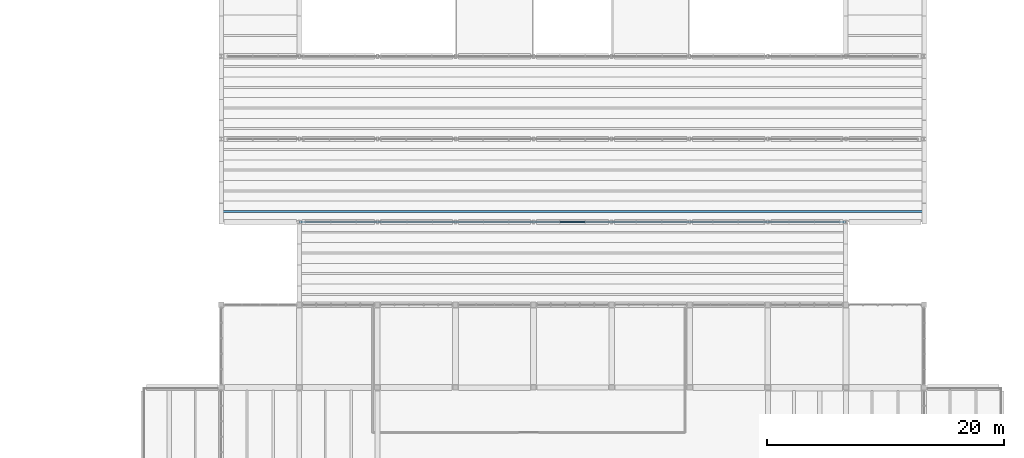
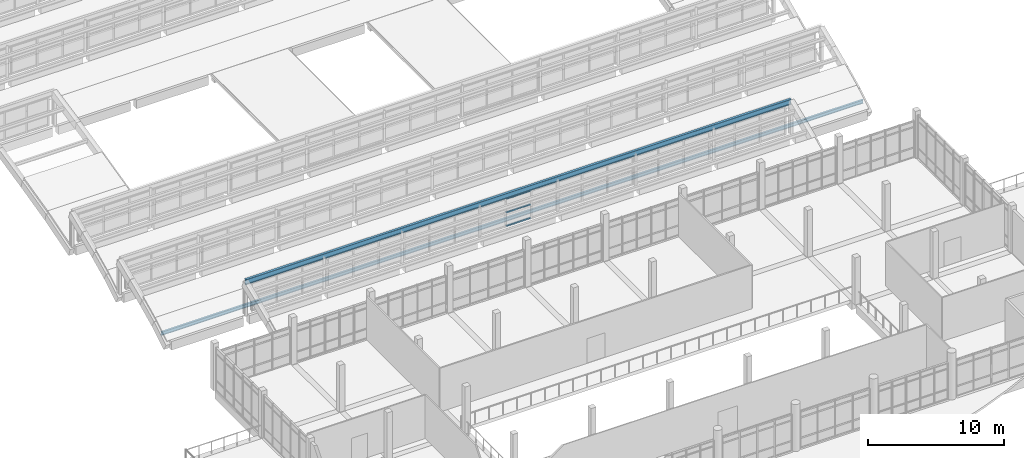
# One storey, part 21 of 92: 5 members, 1 element without a shape of its own.
"""IFC4 building model written with IfcOpenShell, lengths in metres."""

from ifc_helpers import new_model, si_unit, direction, frame, origin, origin_2d, place, context, subcontext, project, spatial, rectangle, i_section, extrude, material, material_profile, profile_set, type_object, element, aggregate, save


model = new_model("IFC4")

# Units and contexts
model_context = context("Model", 3, precision=1e-05, world=origin(), true_north=direction((0.0, 1.0)))
body_context = subcontext(model_context, "Body", "Model", "MODEL_VIEW")
ifc_project = project(units=[si_unit("LENGTHUNIT", "METRE"), si_unit("AREAUNIT", "SQUARE_METRE"), si_unit("VOLUMEUNIT", "CUBIC_METRE"), si_unit("PLANEANGLEUNIT", "RADIAN"), si_unit("MASSUNIT", "GRAM", prefix="KILO")], contexts=[model_context])

# Site, building, storey
site_placement = place(None, origin())
site = spatial("IfcSite", under=ifc_project, at=site_placement, CompositionType="ELEMENT")
building_placement = place(site_placement, origin())
building = spatial("IfcBuilding", under=site, at=building_placement, Name="Ciguamira Faculty of Natural Sciences", CompositionType="ELEMENT")
storey_placement = place(building_placement, frame((0.0, 0.0, 16.800048828125)))
storey = spatial("IfcBuildingStorey", under=building, at=storey_placement, Name="L04", CompositionType="ELEMENT", Elevation=16.800048828125)

# Curtain wall, members
ifc_material_1 = material(Name="Anodized aluminium curtain wall", Category="aluminium")
curtain_wall_type = type_object("IfcCurtainWallType", Name="CurtainWall_CW-02", PredefinedType="USERDEFINED", material=ifc_material_1)
curtain_wall_placement = place(storey_placement, origin())
curtain_wall = element("IfcCurtainWall", 1, at=curtain_wall_placement, inside=storey, type_object=curtain_wall_type, Name="V4 north-light wave 1 clerestory glazing 1", ObjectType="UNITISED CURTAIN WALL", PredefinedType="USERDEFINED")
ifc_material_2 = material(Name="Anodized aluminium transom", Category="aluminium")
ifc_material_profile_1 = material_profile(ifc_material_2, rectangle(XDim=0.070068359375, YDim=0.139892578125, at=origin_2d()), Name="ALU-TRN-70X140")
ifc_profile_set_1 = profile_set([ifc_material_profile_1], Name="Anodized aluminium transom")
member_type_1 = type_object("IfcMemberType", Name="CWTransom_CWT-02", PredefinedType="USERDEFINED", material=ifc_profile_set_1)
member_1_placement = place(storey_placement, frame((85.958740234375, 45.0, 0.284912109375), z_axis=(1.0, 0.0, 0.0), x_axis=(0.0, 0.0, 1.0)))
member_1 = element("IfcMember", 2, at=member_1_placement, type_object=member_type_1, Name="CW-02 transom 11.1", ObjectType="TRANSOM", PredefinedType="USERDEFINED", context=body_context, shape_type="SweptSolid", body=[
    extrude(rectangle(XDim=0.070068359375, YDim=0.139892578125, at=origin_2d()), origin(), (0.0, 0.0, 1.0), 2.08251953125),
])
member_2_placement = place(storey_placement, frame((85.958740234375, 45.0, 1.5), z_axis=(1.0, 0.0, 0.0), x_axis=(0.0, 0.0, 1.0)))
member_2 = element("IfcMember", 3, at=member_2_placement, type_object=member_type_1, Name="CW-02 transom 11.2", ObjectType="TRANSOM", PredefinedType="USERDEFINED", context=body_context, shape_type="SweptSolid", body=[
    extrude(rectangle(XDim=0.070068359375, YDim=0.139892578125, at=origin_2d()), origin(), (0.0, 0.0, 1.0), 2.08251953125),
])
member_3_placement = place(storey_placement, frame((85.958740234375, 45.0, 2.71484375), z_axis=(1.0, 0.0, 0.0), x_axis=(0.0, 0.0, 1.0)))
member_3 = element("IfcMember", 4, at=member_3_placement, type_object=member_type_1, Name="CW-02 transom 11.3", ObjectType="TRANSOM", PredefinedType="USERDEFINED", context=body_context, shape_type="SweptSolid", body=[
    extrude(rectangle(XDim=0.070068359375, YDim=0.139892578125, at=origin_2d()), origin(), (0.0, 0.0, 1.0), 2.08251953125),
])
aggregate(curtain_wall, [member_1, member_2, member_3])

# Members
ifc_material_3 = material(Name="Steel ASTM A992 Grade 50", Category="steel")
ifc_material_profile_2 = material_profile(ifc_material_3, i_section(OverallWidth=0.164794921875, OverallDepth=0.309814453125, WebThickness=0.005859375, FlangeThickness=0.009765625, at=origin_2d()), Name="W12X26")
ifc_profile_set_2 = profile_set([ifc_material_profile_2], Name="Steel ASTM A992 Grade 50")
member_type_2 = type_object("IfcMemberType", Name="SteelMember_PR-02_W12X26", PredefinedType="PURLIN", material=ifc_profile_set_2)
member_4_placement = place(storey_placement, frame((57.300048828125, 45.875, 0.148193359375), z_axis=(1.0, 0.0, 0.0), x_axis=(0.0, 1.0, 0.0)))
element("IfcMember", 5, at=member_4_placement, inside=storey, type_object=member_type_2, Name="V4 wave roof steel purlin 2-1-1", PredefinedType="PURLIN", context=body_context, shape_type="SweptSolid", body=[
    extrude(i_section(OverallWidth=0.164794921875, OverallDepth=0.309814453125, WebThickness=0.005859375, FlangeThickness=0.009765625, at=origin_2d()), origin(), (0.0, 0.0, 1.0), 59.39990234375),
])
ifc_material_profile_3 = material_profile(ifc_material_3, i_section(OverallWidth=0.19287109375, OverallDepth=0.46728515625, WebThickness=0.011474609375, FlangeThickness=0.01904296875, at=origin_2d()), Name="W18X65")
ifc_profile_set_3 = profile_set([ifc_material_profile_3], Name="Steel ASTM A992 Grade 50")
member_type_3 = type_object("IfcMemberType", Name="SteelMember_TC-01_W18X65", PredefinedType="CHORD", material=ifc_profile_set_3)
member_5_placement = place(storey_placement, frame((63.89990234375, 45.0, 2.986328125), z_axis=(1.0, 0.0, 0.0), x_axis=(0.0, 1.0, 0.0)))
element("IfcMember", 6, at=member_5_placement, inside=storey, type_object=member_type_3, Name="V4 north-light wave 1 crest chord 1", PredefinedType="CHORD", context=body_context, shape_type="SweptSolid", body=[
    extrude(i_section(OverallWidth=0.19287109375, OverallDepth=0.46728515625, WebThickness=0.011474609375, FlangeThickness=0.01904296875, at=origin_2d()), origin(), (0.0, 0.0, 1.0), 46.2001953125),
])

save(model, "model.ifc")
